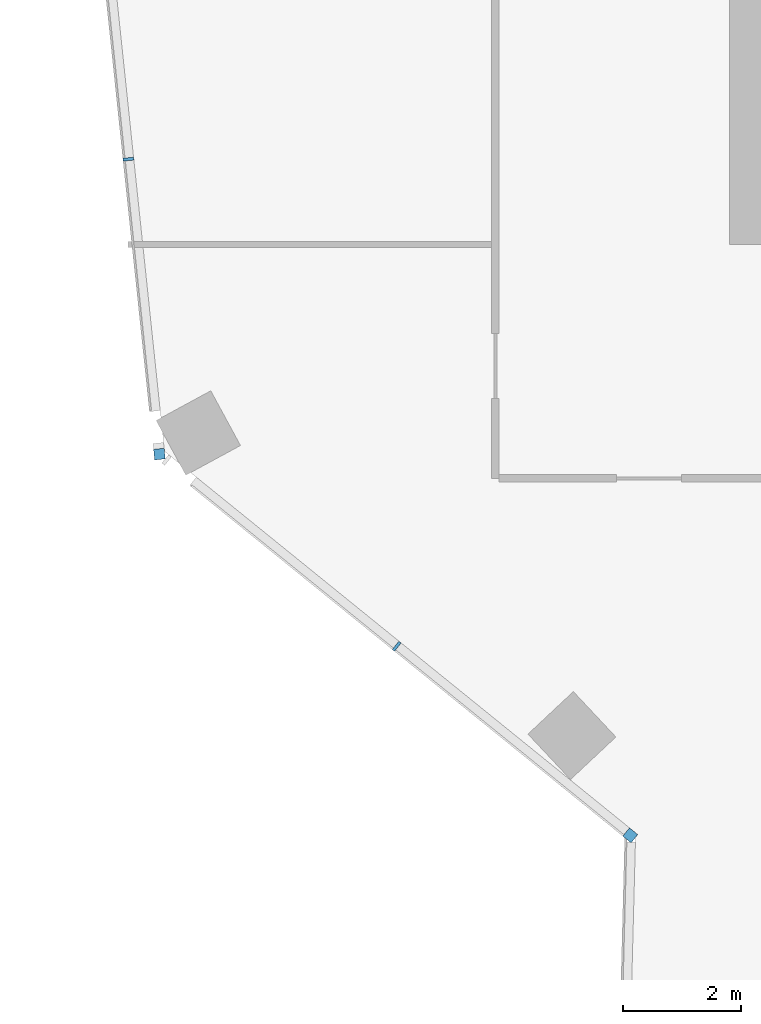
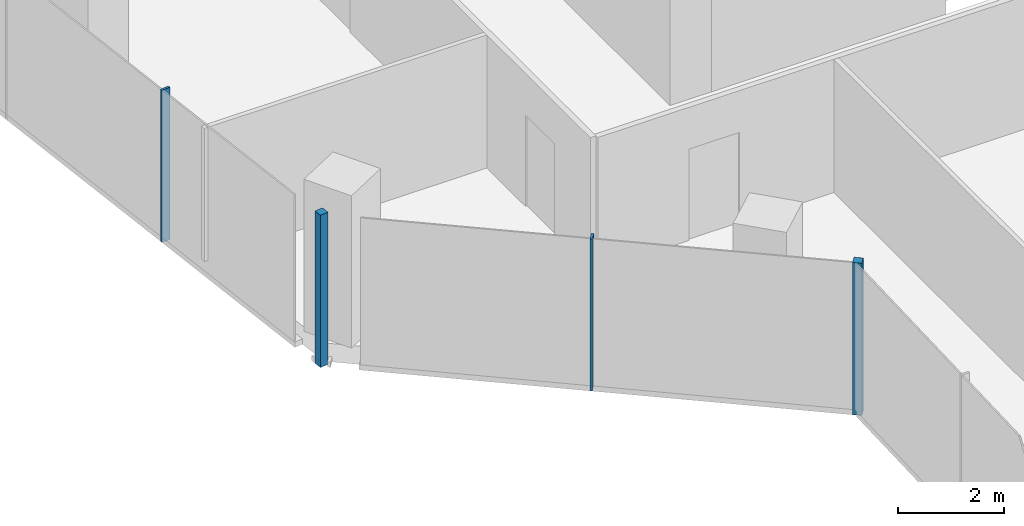
# One storey, part 4 of 23: 4 members, 2 elements without a shape of their own.
"""IFC4 building model written with IfcOpenShell, lengths in metres."""

import ifcopenshell
import ifcopenshell.guid

model = None  # the IFC model being written
_history = None  # IfcOwnerHistory: only IFC2X3 demands one
_inside = {}  # id of a spatial element -> (the spatial element, [elements in it])
_under = {}  # id of a project, library or spatial element -> (it, [spatial elements below it])
_declared = {}  # id of a project -> (the project, [libraries it declares])
_typed = {}  # id of a type object -> (the type object, [elements of that type])
_made_of = {}  # id of a material, layer set ... -> (it, [elements and type objects made of it])


def new_model(schema):
    """Start an empty IFC model of exactly this schema.

    Asked for "IFC4X3", IfcOpenShell would pick the latest addendum, in which some entities
    have other attributes; the version numbers below select the first issue.
    IFC2X3 requires an IfcOwnerHistory on every rooted entity: one is made here for all.
    """
    global model, _history
    if schema == "IFC4X3":
        model = ifcopenshell.file(schema_version=(4, 3, 0, 0))
    else:
        model = ifcopenshell.file(schema=schema)
    _inside.clear()
    _under.clear()
    _declared.clear()
    _typed.clear()
    _made_of.clear()
    _history = None
    if model.schema == "IFC2X3":
        org = make("IfcOrganization", Name="unknown")
        user = make(
            "IfcPersonAndOrganization",
            ThePerson=make("IfcPerson", FamilyName="unknown"),
            TheOrganization=org,
        )
        app = make(
            "IfcApplication",
            ApplicationDeveloper=org,
            Version="unknown",
            ApplicationFullName="unknown",
            ApplicationIdentifier="unknown",
        )
        _history = make(
            "IfcOwnerHistory",
            OwningUser=user,
            OwningApplication=app,
            ChangeAction="ADDED",
            CreationDate=0,
        )
    return model


def make(cls, **values):
    """One entity of the class cls with the attributes given. An attribute that is None is left unset."""
    return model.create_entity(
        cls, **{name: value for name, value in values.items() if value is not None}
    )


def rooted(cls, **values):
    """An entity with a GlobalId (a new one), such as an element, a storey or a relation."""
    return make(cls, GlobalId=ifcopenshell.guid.new(), OwnerHistory=_history, **values)


def si_unit(unit_type, name, prefix=None):
    """IfcSIUnit, for example si_unit("LENGTHUNIT", "METRE", prefix="MILLI")."""
    return make("IfcSIUnit", UnitType=unit_type, Prefix=prefix, Name=name)


def assignment(units):
    """IfcUnitAssignment: the units of a project."""
    return None if units is None else make("IfcUnitAssignment", Units=units)


def point(xyz):
    """IfcCartesianPoint."""
    return None if xyz is None else make("IfcCartesianPoint", Coordinates=xyz)


def direction(xyz):
    """IfcDirection."""
    return None if xyz is None else make("IfcDirection", DirectionRatios=xyz)


def frame(location, z_axis=None, x_axis=None):
    """IfcAxis2Placement3D, a coordinate frame: its origin and axes. An axis left out is left unset."""
    return make(
        "IfcAxis2Placement3D",
        Location=point(location),
        Axis=direction(z_axis),
        RefDirection=direction(x_axis),
    )


def frame_2d(location, x_axis=None):
    """IfcAxis2Placement2D, a coordinate frame in the plane: its origin and x axis."""
    return make(
        "IfcAxis2Placement2D", Location=point(location), RefDirection=direction(x_axis)
    )


def origin():
    """The frame at (0, 0, 0) with its axes left unset."""
    return frame((0.0, 0.0, 0.0))


def origin_2d():
    """The frame at (0, 0) in the plane with its x axis left unset."""
    return frame_2d((0.0, 0.0))


def place(relative_to, where):
    """IfcLocalPlacement: puts the frame where relative to a parent placement (None: the world)."""
    return make(
        "IfcLocalPlacement", PlacementRelTo=relative_to, RelativePlacement=where
    )


def context(
    kind, dimensions, precision=None, world=None, true_north=None, identifier=None
):
    """IfcGeometricRepresentationContext, for example the 3D "Model" context."""
    return make(
        "IfcGeometricRepresentationContext",
        ContextIdentifier=identifier,
        ContextType=kind,
        CoordinateSpaceDimension=dimensions,
        Precision=precision,
        WorldCoordinateSystem=world,
        TrueNorth=true_north,
    )


def subcontext(parent, identifier, kind, view, scale=None):
    """IfcGeometricRepresentationSubContext, for example "Body" below "Model"."""
    return make(
        "IfcGeometricRepresentationSubContext",
        ContextIdentifier=identifier,
        ContextType=kind,
        ParentContext=parent,
        TargetScale=scale,
        TargetView=view,
    )


def project(units=None, contexts=None):
    """IfcProject with its units and contexts."""
    return rooted(
        "IfcProject",
        Name="project",
        RepresentationContexts=contexts,
        UnitsInContext=assignment(units),
    )


def spatial(cls, under=None, at=None, **own):
    """A site, building, storey or space (cls), placed at a placement, below another one or the project."""
    s = rooted(cls, ObjectPlacement=at, **own)
    if under is not None:
        _under.setdefault(under.id(), (under, []))[1].append(s)
    return s


def profile(cls, at=None, kind="AREA", **sizes):
    """A parametric profile (cls). Its sizes go by their IFC names, for example OverallWidth=200.0."""
    return make(cls, ProfileType=kind, Position=at, **sizes)


def rectangle(**sizes):
    """IfcRectangleProfileDef."""
    return profile("IfcRectangleProfileDef", **sizes)


def extrude(swept, where, along, depth):
    """IfcExtrudedAreaSolid: the profile swept, set in the frame where, extruded along a direction by depth."""
    return make(
        "IfcExtrudedAreaSolid",
        SweptArea=swept,
        Position=where,
        ExtrudedDirection=direction(along),
        Depth=depth,
    )


def shape(context_of_items, identifier, shape_type, items):
    """IfcShapeRepresentation: the items that make up one representation, for example the "Body"."""
    return make(
        "IfcShapeRepresentation",
        ContextOfItems=context_of_items,
        RepresentationIdentifier=identifier,
        RepresentationType=shape_type,
        Items=items,
    )


def material(Name=None, Category=None):
    """IfcMaterial."""
    return make("IfcMaterial", Name=Name, Category=Category)


def material_profile(
    of_material, cross_section, Name=None, Category=None, Priority=None
):
    """IfcMaterialProfile: a cross section and its material."""
    return make(
        "IfcMaterialProfile",
        Name=Name,
        Material=of_material,
        Profile=cross_section,
        Priority=Priority,
        Category=Category,
    )


def profile_set(profiles, Name=None, composite=None):
    """IfcMaterialProfileSet."""
    return make(
        "IfcMaterialProfileSet",
        Name=Name,
        MaterialProfiles=profiles,
        CompositeProfile=composite,
    )


def made_of(thing, what):
    """Note that an element or type object is made of a material, layer set ...; save() writes the relation."""
    if what is not None:
        _made_of.setdefault(what.id(), (what, []))[1].append(thing)
    return thing


def type_object(cls, material=None, **own):
    """A type object (cls), such as IfcWallType, which elements share."""
    return made_of(rooted(cls, **own), material)


def element(
    cls,
    number,
    at=None,
    inside=None,
    cuts=None,
    type_object=None,
    material=None,
    context=None,
    identifier="Body",
    shape_type=None,
    held_by="IfcProductDefinitionShape",
    body=None,
    shapes=None,
    **own,
):
    """One element of the class cls, such as IfcWall. Its Tag is "e" and its number.

    at: its placement. inside: the storey or other place that contains it. cuts: it is an
    opening in that element (IfcRelVoidsElement). A single representation is given by context,
    identifier, shape_type and body (its items); several are given by shapes. held_by: the class
    of the entity that holds the representations. save() writes the other relations.
    """
    e = rooted(cls, Tag="e%d" % number, ObjectPlacement=at, **own)
    if body is not None:
        shapes = [shape(context, identifier, shape_type, body)]
    if shapes is not None:
        e.Representation = make(held_by, Representations=shapes)
    if inside is not None:
        _inside.setdefault(inside.id(), (inside, []))[1].append(e)
    if cuts is not None:
        rooted(
            "IfcRelVoidsElement", RelatingBuildingElement=cuts, RelatedOpeningElement=e
        )
    if type_object is not None:
        _typed.setdefault(type_object.id(), (type_object, []))[1].append(e)
    return made_of(e, material)


def aggregate(whole, parts):
    """IfcRelAggregates: a whole, such as a stair, and the parts it consists of."""
    return rooted("IfcRelAggregates", RelatingObject=whole, RelatedObjects=parts)


def save(model, path):
    """Write the relations noted so far, then the file.

    IfcRelAggregates (storeys below a building ...), IfcRelContainedInSpatialStructure (elements
    in a storey), IfcRelDefinesByType, IfcRelAssociatesMaterial and IfcRelDeclares: one each for
    every whole, place, type object, material and project.
    """
    for whole, parts in _under.values():
        aggregate(whole, parts)
    for where, things in _inside.values():
        rooted(
            "IfcRelContainedInSpatialStructure",
            RelatedElements=things,
            RelatingStructure=where,
        )
    for kind, things in _typed.values():
        rooted("IfcRelDefinesByType", RelatedObjects=things, RelatingType=kind)
    for what, things in _made_of.values():
        rooted("IfcRelAssociatesMaterial", RelatedObjects=things, RelatingMaterial=what)
    for by, libraries in _declared.values():
        rooted("IfcRelDeclares", RelatingContext=by, RelatedDefinitions=libraries)
    model.write(path)


model = new_model("IFC4")

# Units and contexts
model_context = context("Model", 3, precision=1e-05, world=origin(), true_north=direction((0.0, 1.0)))
body_context = subcontext(model_context, "Body", "Model", "MODEL_VIEW")
ifc_project = project(units=[si_unit("LENGTHUNIT", "METRE"), si_unit("AREAUNIT", "SQUARE_METRE"), si_unit("VOLUMEUNIT", "CUBIC_METRE"), si_unit("PLANEANGLEUNIT", "RADIAN"), si_unit("MASSUNIT", "GRAM", prefix="KILO")], contexts=[model_context])

# Site, building, storey
site_placement = place(None, origin())
site = spatial("IfcSite", under=ifc_project, at=site_placement, CompositionType="ELEMENT")
building_placement = place(site_placement, origin())
building = spatial("IfcBuilding", under=site, at=building_placement, Name="Orlundy Tower", CompositionType="ELEMENT")
storey_placement = place(building_placement, frame((0.0, 0.0, 224.5)))
storey = spatial("IfcBuildingStorey", under=building, at=storey_placement, Name="L59", CompositionType="ELEMENT", Elevation=224.5)

# Curtain wall, member
ifc_material_1 = material(Name="Aluminium bronze anodised", Category="aluminium")
curtain_wall_type = type_object("IfcCurtainWallType", Name="CW1 wall", PredefinedType="NOTDEFINED", material=ifc_material_1)
curtain_wall_1_placement = place(storey_placement, origin())
curtain_wall_1 = element("IfcCurtainWall", 1, at=curtain_wall_1_placement, inside=storey, type_object=curtain_wall_type, Name="CW1 run 01", PredefinedType="NOTDEFINED")
ifc_material_2 = material(Name="Aluminium bronze anodised", Category="aluminium")
ifc_material_profile_1 = material_profile(ifc_material_2, rectangle(XDim=0.179931640625, YDim=0.179931640625, at=origin_2d()), Name="CW1 corner post 180x180")
ifc_profile_set_1 = profile_set([ifc_material_profile_1], Name="Aluminium bronze anodised")
member_type_1 = type_object("IfcMemberType", Name="CW1 corner post 180x180", PredefinedType="MULLION", material=ifc_profile_set_1)
member_1_placement = place(storey_placement, frame((-20.672119140625, -21.97802734375, -0.419921875), z_axis=(0.0, 0.0, 1.0), x_axis=(-0.629282527892, -0.77717662091, 0.0)))
member_1 = element("IfcMember", 2, at=member_1_placement, type_object=member_type_1, Name="CW1 mullion 3", PredefinedType="MULLION", context=body_context, shape_type="SweptSolid", body=[
    extrude(rectangle(XDim=0.179931640625, YDim=0.179931640625, at=origin_2d()), origin(), (0.0, 0.0, 1.0), 3.5),
])

curtain_wall_2_placement = place(storey_placement, origin())
curtain_wall_2 = element("IfcCurtainWall", 3, at=curtain_wall_2_placement, inside=storey, type_object=curtain_wall_type, Name="CW1 run 02", PredefinedType="NOTDEFINED")
member_2_placement = place(storey_placement, frame((-28.62255859375, -15.54052734375, -0.419921875), z_axis=(0.0, 0.0, 1.0), x_axis=(-0.994520875843, -0.104538162943, 0.0)))
member_2 = element("IfcMember", 4, at=member_2_placement, type_object=member_type_1, Name="CW1 mullion 5", PredefinedType="MULLION", context=body_context, shape_type="SweptSolid", body=[
    extrude(rectangle(XDim=0.179931640625, YDim=0.179931640625, at=origin_2d()), origin(), (0.0, 0.0, 1.0), 3.5),
])

# Member
ifc_material_3 = material(Name="Aluminium bronze anodised", Category="aluminium")
ifc_material_profile_2 = material_profile(ifc_material_3, rectangle(XDim=0.179931640625, YDim=0.050048828125, at=origin_2d()), Name="CW1 mullion 50x180")
ifc_profile_set_2 = profile_set([ifc_material_profile_2], Name="Aluminium bronze anodised")
member_type_2 = type_object("IfcMemberType", Name="CW1 mullion 50x180", PredefinedType="MULLION", material=ifc_profile_set_2)
member_3_placement = place(storey_placement, frame((-24.61572265625, -18.784912109375, -0.419921875), z_axis=(0.0, 0.0, 1.0), x_axis=(-0.629282527892, -0.77717662091, 0.0)))
member_3 = element("IfcMember", 5, at=member_3_placement, type_object=member_type_2, Name="CW1 mullion 4", PredefinedType="MULLION", context=body_context, shape_type="SweptSolid", body=[
    extrude(rectangle(XDim=0.179931640625, YDim=0.050048828125, at=origin_2d()), origin(), (0.0, 0.0, 1.0), 3.5),
])

aggregate(curtain_wall_1, [member_1, member_3])

member_4_placement = place(storey_placement, frame((-29.14599609375, -10.560302734375, -0.419921875), z_axis=(0.0, 0.0, 1.0), x_axis=(-0.994520875843, -0.104538162943, 0.0)))
member_4 = element("IfcMember", 6, at=member_4_placement, type_object=member_type_2, Name="CW1 mullion 6", PredefinedType="MULLION", context=body_context, shape_type="SweptSolid", body=[
    extrude(rectangle(XDim=0.179931640625, YDim=0.050048828125, at=origin_2d()), origin(), (0.0, 0.0, 1.0), 3.5),
])

aggregate(curtain_wall_2, [member_2, member_4])

save(model, "model.ifc")
